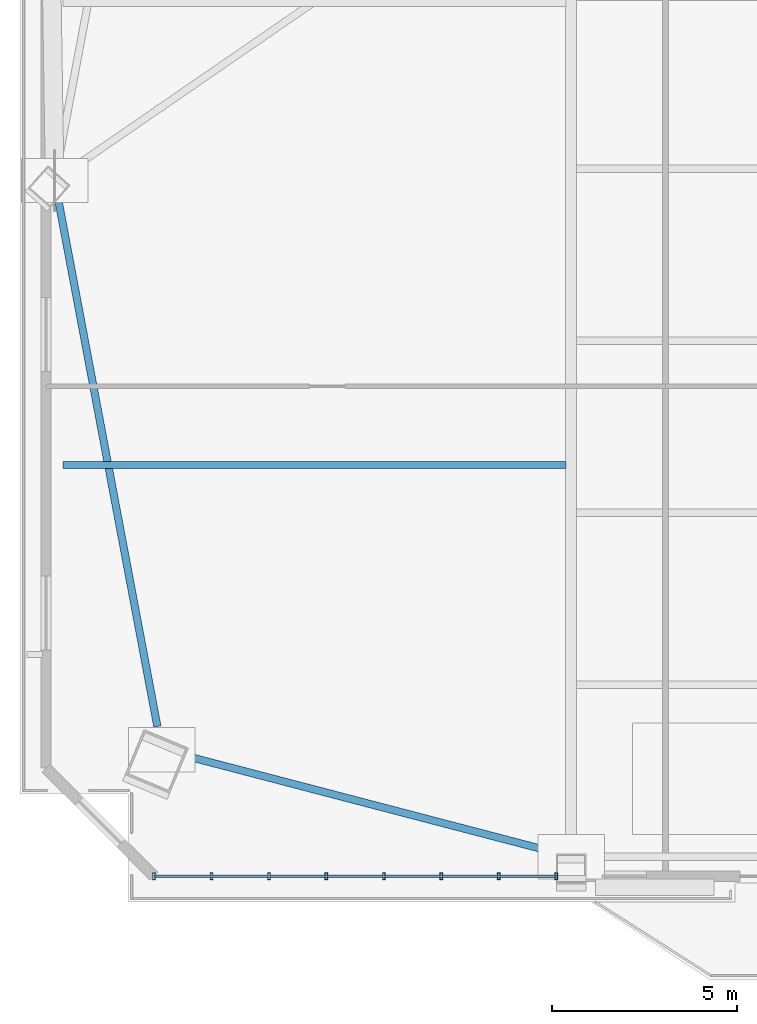
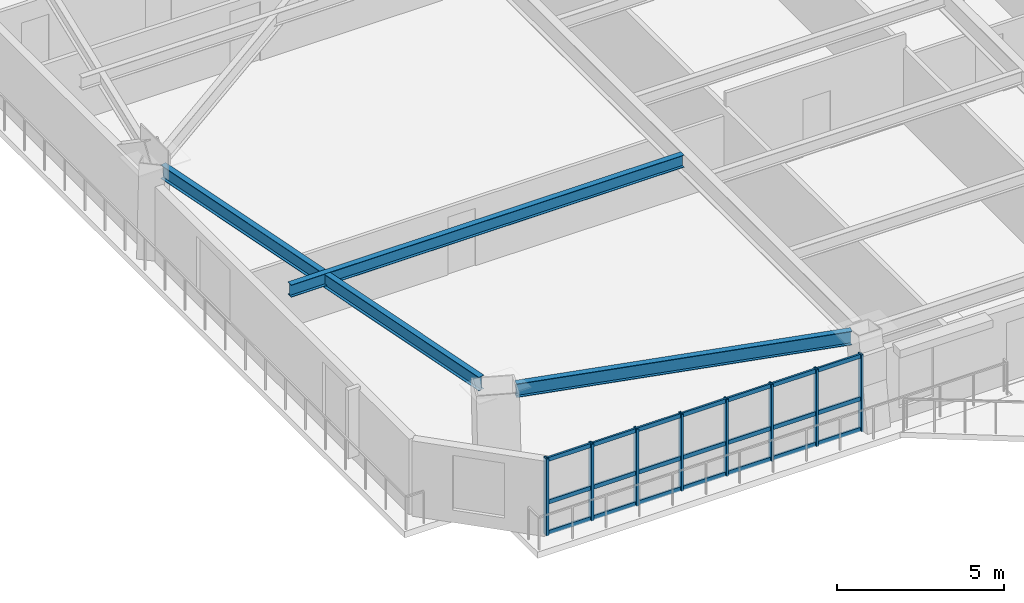
# One storey, part 2 of 16: 11 members, 3 beams, 1 element without a shape of its own.
"""IFC4 building model written with IfcOpenShell, lengths in metres."""

from ifc_helpers import new_model, si_unit, direction, frame, origin, origin_2d, place, context, subcontext, project, spatial, hollow_rectangle, i_section, extrude, source, transform, mapped, material, layer, layer_set, material_profile, profile_set, type_object, element, aggregate, save


model = new_model("IFC4")

# Units and contexts
model_context = context("Model", 3, precision=1e-05, world=origin(), true_north=direction((0.0, 1.0)))
body_context = subcontext(model_context, "Body", "Model", "MODEL_VIEW")
ifc_project = project(units=[si_unit("LENGTHUNIT", "METRE"), si_unit("AREAUNIT", "SQUARE_METRE"), si_unit("VOLUMEUNIT", "CUBIC_METRE"), si_unit("PLANEANGLEUNIT", "RADIAN"), si_unit("MASSUNIT", "GRAM", prefix="KILO")], contexts=[model_context])

# Site, building, storey
site_placement = place(None, origin())
site = spatial("IfcSite", under=ifc_project, at=site_placement, CompositionType="ELEMENT")
building_placement = place(site_placement, origin())
building = spatial("IfcBuilding", under=site, at=building_placement, Name="Giltprow Tower", CompositionType="ELEMENT")
storey_placement = place(building_placement, frame((0.0, 0.0, 166.699951171875)))
storey = spatial("IfcBuildingStorey", under=building, at=storey_placement, Name="L41", CompositionType="ELEMENT", Elevation=166.699951171875)

# Beams
ifc_material_1 = material(Name="Structural steel Q355B", Category="steel")
ifc_material_profile_1 = material_profile(ifc_material_1, i_section(OverallWidth=0.199951171875, OverallDepth=0.5, WebThickness=0.010009765625, FlangeThickness=0.01611328125, at=origin_2d()), Name="HN 500x200x10x16")
ifc_profile_set_1 = profile_set([ifc_material_profile_1], Name="Structural steel Q355B")
beam_type_1 = type_object("IfcBeamType", Name="BM-SPAN-HN500", PredefinedType="SPANDREL", material=ifc_profile_set_1)
shared_shape_1 = source(origin(), body_context, "Body", "SweptSolid", [
    extrude(i_section(OverallWidth=0.199951171875, OverallDepth=0.5, WebThickness=0.010009765625, FlangeThickness=0.01611328125, at=origin_2d()), origin(), (0.0, 0.0, 1.0), 10.39599609375),
])
beam_1_placement = place(storey_placement, frame((9.419921875, 12.35205078125, 3.02001953125), z_axis=(0.967492710534, -0.252898902853, 0.0), x_axis=(0.252898902853, 0.967492710534, 0.0)))
element("IfcBeam", 1, at=beam_1_placement, inside=storey, type_object=beam_type_1, Name="L41 Perimeter Spandrel Beam MC_SW-S1", PredefinedType="SPANDREL", context=body_context, shape_type="MappedRepresentation", body=[
    mapped(shared_shape_1, transform((0.0, 0.0, 0.0), x_axis=(1.0, 0.0, 0.0), y_axis=(0.0, 1.0, 0.0), z_axis=(0.0, 0.0, 1.0), scale=1.0)),
])
shared_shape_2 = source(origin(), body_context, "Body", "SweptSolid", [
    extrude(i_section(OverallWidth=0.199951171875, OverallDepth=0.5, WebThickness=0.010009765625, FlangeThickness=0.01611328125, at=origin_2d()), origin(), (0.0, 0.0, 1.0), 14.599853515625),
])
beam_2_placement = place(storey_placement, frame((5.989990234375, 27.485107421875, 3.02001953125), z_axis=(0.184863999795, -0.982764112888, 0.0), x_axis=(0.982764112888, 0.184863999795, 0.0)))
element("IfcBeam", 2, at=beam_2_placement, inside=storey, type_object=beam_type_1, Name="L41 Perimeter Spandrel Beam W_MID-MC_SW", PredefinedType="SPANDREL", context=body_context, shape_type="MappedRepresentation", body=[
    mapped(shared_shape_2, transform((0.0, 0.0, 0.0), x_axis=(1.0, 0.0, 0.0), y_axis=(0.0, 1.0, 0.0), z_axis=(0.0, 0.0, 1.0), scale=1.0)),
])
ifc_material_profile_2 = material_profile(ifc_material_1, i_section(OverallWidth=0.199951171875, OverallDepth=0.449951171875, WebThickness=0.009033203125, FlangeThickness=0.013916015625, at=origin_2d()), Name="HN 450x200x9x14")
ifc_profile_set_2 = profile_set([ifc_material_profile_2], Name="Structural steel Q355B")
beam_type_2 = type_object("IfcBeamType", Name="BM-JOIST-HN450", PredefinedType="JOIST", material=ifc_profile_set_2)
shared_shape_3 = source(origin(), body_context, "Body", "SweptSolid", [
    extrude(i_section(OverallWidth=0.199951171875, OverallDepth=0.449951171875, WebThickness=0.009033203125, FlangeThickness=0.013916015625, at=origin_2d()), origin(), (0.0, 0.0, 1.0), 13.566162109375),
])
beam_3_placement = place(storey_placement, frame((6.138916015625, 20.18798828125, 3.045166015625), z_axis=(1.0, 0.0, 0.0), x_axis=(0.0, 1.0, 0.0)))
element("IfcBeam", 3, at=beam_3_placement, inside=storey, type_object=beam_type_2, Name="L41 West Wing Floor Joist 1", PredefinedType="JOIST", context=body_context, shape_type="MappedRepresentation", body=[
    mapped(shared_shape_3, transform((0.0, 0.0, 0.0), x_axis=(1.0, 0.0, 0.0), y_axis=(0.0, 1.0, 0.0), z_axis=(0.0, 0.0, 1.0), scale=1.0)),
])

# Curtain wall, members
ifc_material_2 = material(Name="Anodized bronze", Category="metal")
ifc_layer = layer(ifc_material_2, 0.179931640625, Name="Anodized bronze")
ifc_layer_set = layer_set([ifc_layer], Name="Anodized bronze")
curtain_wall_type = type_object("IfcCurtainWallType", Name="CW-HTL-BRONZE", PredefinedType="NOTDEFINED", material=ifc_layer_set)
curtain_wall_placement = place(storey_placement, origin())
curtain_wall = element("IfcCurtainWall", 4, at=curtain_wall_placement, inside=storey, type_object=curtain_wall_type, Name="L41 South Recessed Curtain Wall 1", PredefinedType="NOTDEFINED")
ifc_material_profile_3 = material_profile(ifc_material_2, hollow_rectangle(XDim=0.074951171875, YDim=0.179931640625, WallThickness=0.008056640625, at=origin_2d()), Name="RHS 180x75x8")
ifc_profile_set_3 = profile_set([ifc_material_profile_3], Name="Anodized bronze")
member_type_1 = type_object("IfcMemberType", Name="CW-MULLION-180x75", PredefinedType="MULLION", material=ifc_profile_set_3)
shared_shape_4 = source(origin(), body_context, "Body", "SweptSolid", [
    extrude(hollow_rectangle(XDim=0.074951171875, YDim=0.179931640625, WallThickness=0.008056640625, at=origin_2d()), origin(), (0.0, 0.0, 1.0), 2.80517578125),
])
member_1_placement = place(storey_placement, frame((8.596923828125, 9.097900390625, -0.02001953125), z_axis=(0.0, 0.0, 1.0), x_axis=(1.0, 0.0, 0.0)))
member_1 = element("IfcMember", 5, at=member_1_placement, type_object=member_type_1, Name="L41 South Recessed Curtain Wall 1 Mullion 1", PredefinedType="MULLION", context=body_context, shape_type="MappedRepresentation", body=[
    mapped(shared_shape_4, transform((0.0, 0.0, 0.0), x_axis=(1.0, 0.0, 0.0), y_axis=(0.0, 1.0, 0.0), z_axis=(0.0, 0.0, 1.0), scale=1.0)),
])
member_2_placement = place(storey_placement, frame((10.14697265625, 9.097900390625, -0.02001953125), z_axis=(0.0, 0.0, 1.0), x_axis=(1.0, 0.0, 0.0)))
member_2 = element("IfcMember", 6, at=member_2_placement, type_object=member_type_1, Name="L41 South Recessed Curtain Wall 1 Mullion 2", PredefinedType="MULLION", context=body_context, shape_type="MappedRepresentation", body=[
    mapped(shared_shape_4, transform((0.0, 0.0, 0.0), x_axis=(1.0, 0.0, 0.0), y_axis=(0.0, 1.0, 0.0), z_axis=(0.0, 0.0, 1.0), scale=1.0)),
])
member_3_placement = place(storey_placement, frame((11.697998046875, 9.097900390625, -0.02001953125), z_axis=(0.0, 0.0, 1.0), x_axis=(1.0, 0.0, 0.0)))
member_3 = element("IfcMember", 7, at=member_3_placement, type_object=member_type_1, Name="L41 South Recessed Curtain Wall 1 Mullion 3", PredefinedType="MULLION", context=body_context, shape_type="MappedRepresentation", body=[
    mapped(shared_shape_4, transform((0.0, 0.0, 0.0), x_axis=(1.0, 0.0, 0.0), y_axis=(0.0, 1.0, 0.0), z_axis=(0.0, 0.0, 1.0), scale=1.0)),
])
member_4_placement = place(storey_placement, frame((13.248046875, 9.097900390625, -0.02001953125), z_axis=(0.0, 0.0, 1.0), x_axis=(1.0, 0.0, 0.0)))
member_4 = element("IfcMember", 8, at=member_4_placement, type_object=member_type_1, Name="L41 South Recessed Curtain Wall 1 Mullion 4", PredefinedType="MULLION", context=body_context, shape_type="MappedRepresentation", body=[
    mapped(shared_shape_4, transform((0.0, 0.0, 0.0), x_axis=(1.0, 0.0, 0.0), y_axis=(0.0, 1.0, 0.0), z_axis=(0.0, 0.0, 1.0), scale=1.0)),
])
member_5_placement = place(storey_placement, frame((14.799072265625, 9.097900390625, -0.02001953125), z_axis=(0.0, 0.0, 1.0), x_axis=(1.0, 0.0, 0.0)))
member_5 = element("IfcMember", 9, at=member_5_placement, type_object=member_type_1, Name="L41 South Recessed Curtain Wall 1 Mullion 5", PredefinedType="MULLION", context=body_context, shape_type="MappedRepresentation", body=[
    mapped(shared_shape_4, transform((0.0, 0.0, 0.0), x_axis=(1.0, 0.0, 0.0), y_axis=(0.0, 1.0, 0.0), z_axis=(0.0, 0.0, 1.0), scale=1.0)),
])
member_6_placement = place(storey_placement, frame((16.34912109375, 9.097900390625, -0.02001953125), z_axis=(0.0, 0.0, 1.0), x_axis=(1.0, 0.0, 0.0)))
member_6 = element("IfcMember", 10, at=member_6_placement, type_object=member_type_1, Name="L41 South Recessed Curtain Wall 1 Mullion 6", PredefinedType="MULLION", context=body_context, shape_type="MappedRepresentation", body=[
    mapped(shared_shape_4, transform((0.0, 0.0, 0.0), x_axis=(1.0, 0.0, 0.0), y_axis=(0.0, 1.0, 0.0), z_axis=(0.0, 0.0, 1.0), scale=1.0)),
])
member_7_placement = place(storey_placement, frame((17.89990234375, 9.097900390625, -0.02001953125), z_axis=(0.0, 0.0, 1.0), x_axis=(1.0, 0.0, 0.0)))
member_7 = element("IfcMember", 11, at=member_7_placement, type_object=member_type_1, Name="L41 South Recessed Curtain Wall 1 Mullion 7", PredefinedType="MULLION", context=body_context, shape_type="MappedRepresentation", body=[
    mapped(shared_shape_4, transform((0.0, 0.0, 0.0), x_axis=(1.0, 0.0, 0.0), y_axis=(0.0, 1.0, 0.0), z_axis=(0.0, 0.0, 1.0), scale=1.0)),
])
member_8_placement = place(storey_placement, frame((19.449951171875, 9.097900390625, -0.02001953125), z_axis=(0.0, 0.0, 1.0), x_axis=(1.0, 0.0, 0.0)))
member_8 = element("IfcMember", 12, at=member_8_placement, type_object=member_type_1, Name="L41 South Recessed Curtain Wall 1 Mullion 8", PredefinedType="MULLION", context=body_context, shape_type="MappedRepresentation", body=[
    mapped(shared_shape_4, transform((0.0, 0.0, 0.0), x_axis=(1.0, 0.0, 0.0), y_axis=(0.0, 1.0, 0.0), z_axis=(0.0, 0.0, 1.0), scale=1.0)),
])
ifc_material_profile_4 = material_profile(ifc_material_2, hollow_rectangle(XDim=0.06494140625, YDim=0.14990234375, WallThickness=0.006103515625, at=origin_2d()), Name="RHS 150x65x6")
ifc_profile_set_4 = profile_set([ifc_material_profile_4], Name="Anodized bronze")
member_type_2 = type_object("IfcMemberType", Name="CW-TRANSOM-150x65", PredefinedType="USERDEFINED", material=ifc_profile_set_4)
shared_shape_5 = source(origin(), body_context, "Body", "SweptSolid", [
    extrude(hollow_rectangle(XDim=0.06494140625, YDim=0.14990234375, WallThickness=0.006103515625, at=origin_2d()), origin(), (0.0, 0.0, 1.0), 10.85302734375),
])
member_9_placement = place(storey_placement, frame((8.596923828125, 9.097900390625, 0.0400390625), z_axis=(1.0, 0.0, 0.0), x_axis=(0.0, 1.0, 0.0)))
member_9 = element("IfcMember", 13, at=member_9_placement, type_object=member_type_2, Name="L41 South Recessed Curtain Wall 1 Transom 1", ObjectType="TRANSOM", PredefinedType="USERDEFINED", context=body_context, shape_type="MappedRepresentation", body=[
    mapped(shared_shape_5, transform((0.0, 0.0, 0.0), x_axis=(1.0, 0.0, 0.0), y_axis=(0.0, 1.0, 0.0), z_axis=(0.0, 0.0, 1.0), scale=1.0)),
])
member_10_placement = place(storey_placement, frame((8.596923828125, 9.097900390625, 1.155029296875), z_axis=(1.0, 0.0, 0.0), x_axis=(0.0, 1.0, 0.0)))
member_10 = element("IfcMember", 14, at=member_10_placement, type_object=member_type_2, Name="L41 South Recessed Curtain Wall 1 Transom 2", ObjectType="TRANSOM", PredefinedType="USERDEFINED", context=body_context, shape_type="MappedRepresentation", body=[
    mapped(shared_shape_5, transform((0.0, 0.0, 0.0), x_axis=(1.0, 0.0, 0.0), y_axis=(0.0, 1.0, 0.0), z_axis=(0.0, 0.0, 1.0), scale=1.0)),
])
member_11_placement = place(storey_placement, frame((8.596923828125, 9.097900390625, 2.7099609375), z_axis=(1.0, 0.0, 0.0), x_axis=(0.0, 1.0, 0.0)))
member_11 = element("IfcMember", 15, at=member_11_placement, type_object=member_type_2, Name="L41 South Recessed Curtain Wall 1 Transom 3", ObjectType="TRANSOM", PredefinedType="USERDEFINED", context=body_context, shape_type="MappedRepresentation", body=[
    mapped(shared_shape_5, transform((0.0, 0.0, 0.0), x_axis=(1.0, 0.0, 0.0), y_axis=(0.0, 1.0, 0.0), z_axis=(0.0, 0.0, 1.0), scale=1.0)),
])
aggregate(curtain_wall, [member_1, member_2, member_3, member_4, member_5, member_6, member_7, member_8, member_9, member_10, member_11])

save(model, "model.ifc")
